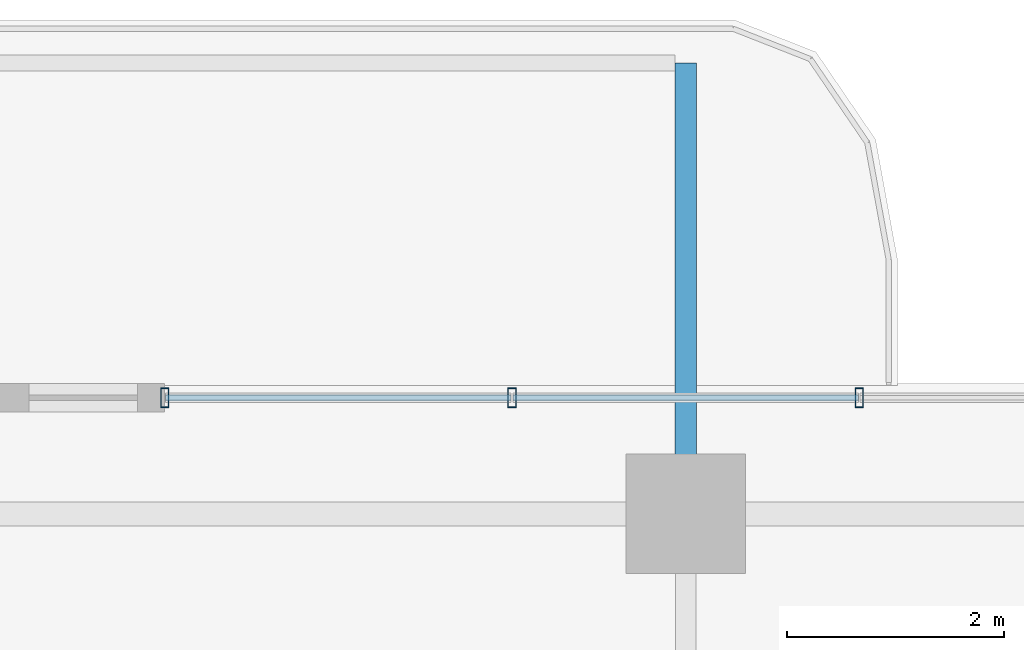
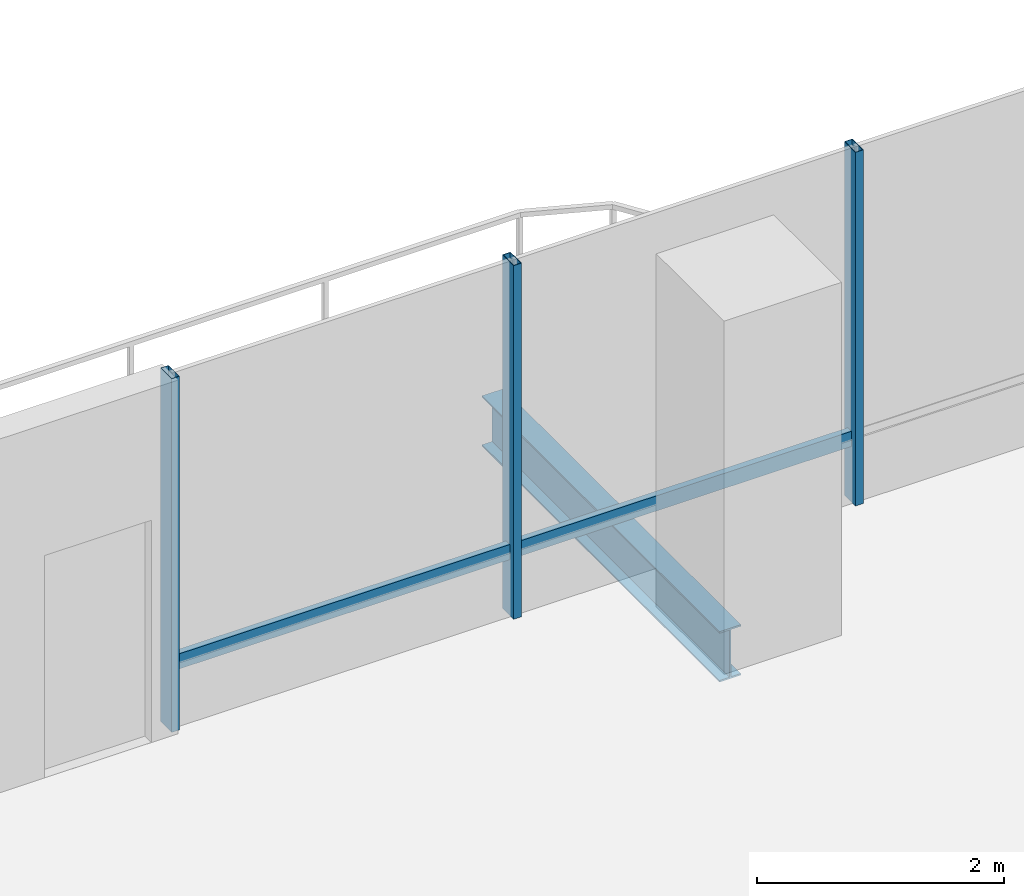
# One storey, part 11 of 24: 5 members, 1 beam, 1 element without a shape of its own.
"""IFC4 building model written with IfcOpenShell, lengths in metres."""

from ifc_helpers import new_model, si_unit, direction, frame, origin, origin_2d, place, context, subcontext, project, spatial, hollow_rectangle, i_section, extrude, material, layer, layer_set, material_profile, profile_set, type_object, element, aggregate, save


model = new_model("IFC4")

# Units and contexts
model_context = context("Model", 3, precision=1e-05, world=origin(), true_north=direction((0.0, 1.0)))
body_context = subcontext(model_context, "Body", "Model", "MODEL_VIEW")
ifc_project = project(units=[si_unit("LENGTHUNIT", "METRE"), si_unit("AREAUNIT", "SQUARE_METRE"), si_unit("VOLUMEUNIT", "CUBIC_METRE"), si_unit("PLANEANGLEUNIT", "RADIAN"), si_unit("MASSUNIT", "GRAM", prefix="KILO")], contexts=[model_context])

# Site, building, storey
site_placement = place(None, origin())
site = spatial("IfcSite", under=ifc_project, at=site_placement, CompositionType="ELEMENT")
building_placement = place(site_placement, origin())
building = spatial("IfcBuilding", under=site, at=building_placement, Name="Belovzor Exchange Tower", CompositionType="ELEMENT")
storey_placement = place(building_placement, frame((0.0, 0.0, 214.949951171875)))
storey = spatial("IfcBuildingStorey", under=building, at=storey_placement, Name="L53", CompositionType="ELEMENT", Elevation=214.949951171875)

# Beam
ifc_material_1 = material(Name="Steel S355", Category="steel")
ifc_material_profile_1 = material_profile(ifc_material_1, i_section(OverallWidth=0.199951171875, OverallDepth=0.5, WebThickness=0.01025390625, FlangeThickness=0.01611328125, at=origin_2d()))
ifc_profile_set_1 = profile_set([ifc_material_profile_1], Name="Steel S355")
beam_type = type_object("IfcBeamType", Name="Planted Balcony Cantilever Beam IPE 500", PredefinedType="BEAM", material=ifc_profile_set_1)
beam_placement = place(storey_placement, frame((28.800048828125, 54.903076171875, -0.5), z_axis=(0.0, 1.0, 0.0), x_axis=(-1.0, 0.0, 0.0)))
element("IfcBeam", 1, at=beam_placement, inside=storey, type_object=beam_type, Name="BC-500 Planted Balcony Cantilever Beam IPE 500", PredefinedType="BEAM", context=body_context, shape_type="SweptSolid", body=[
    extrude(i_section(OverallWidth=0.199951171875, OverallDepth=0.5, WebThickness=0.01025390625, FlangeThickness=0.01611328125, at=origin_2d()), origin(), (0.0, 0.0, 1.0), 3.849853515625),
])

# Curtain wall, members
ifc_material_2 = material(Name="Anodised Aluminium Framing", Category="aluminium")
ifc_layer = layer(ifc_material_2, 0.179931640625)
ifc_layer_set = layer_set([ifc_layer], Name="Anodised Aluminium Framing")
curtain_wall_type = type_object("IfcCurtainWallType", Name="Recessed Loggia Low-Iron Triple-Glazed Curtain Wall", PredefinedType="NOTDEFINED", material=ifc_layer_set)
curtain_wall_placement = place(storey_placement, origin())
curtain_wall = element("IfcCurtainWall", 2, at=curtain_wall_placement, inside=storey, type_object=curtain_wall_type, Name="CW3 Recessed Loggia Low-Iron Triple-Glazed Curtain Wall L53", PredefinedType="NOTDEFINED")
ifc_material_3 = material(Name="Steel S355", Category="steel")
ifc_material_profile_2 = material_profile(ifc_material_3, hollow_rectangle(XDim=0.074951171875, YDim=0.179931640625, WallThickness=0.0048828125, at=origin_2d()))
ifc_profile_set_2 = profile_set([ifc_material_profile_2], Name="Steel S355")
member_type_1 = type_object("IfcMemberType", Name="Thermally Broken Curtain Wall Mullion 180x75", PredefinedType="MULLION", material=ifc_profile_set_2)
member_1_placement = place(storey_placement, frame((24.0, 55.669921875, 0.0), z_axis=(0.0, 0.0, 1.0), x_axis=(1.0, 0.0, 0.0)))
member_1 = element("IfcMember", 3, at=member_1_placement, type_object=member_type_1, Name="CW-M180 Curtain Wall Mullion 1", PredefinedType="MULLION", context=body_context, shape_type="SweptSolid", body=[
    extrude(hollow_rectangle(XDim=0.074951171875, YDim=0.179931640625, WallThickness=0.0048828125, at=origin_2d()), origin(), (0.0, 0.0, 1.0), 3.5),
])
member_2_placement = place(storey_placement, frame((27.199951171875, 55.669921875, 0.0), z_axis=(0.0, 0.0, 1.0), x_axis=(1.0, 0.0, 0.0)))
member_2 = element("IfcMember", 4, at=member_2_placement, type_object=member_type_1, Name="CW-M180 Curtain Wall Mullion 2", PredefinedType="MULLION", context=body_context, shape_type="SweptSolid", body=[
    extrude(hollow_rectangle(XDim=0.074951171875, YDim=0.179931640625, WallThickness=0.0048828125, at=origin_2d()), origin(), (0.0, 0.0, 1.0), 3.5),
])
member_3_placement = place(storey_placement, frame((30.39990234375, 55.669921875, 0.0), z_axis=(0.0, 0.0, 1.0), x_axis=(1.0, 0.0, 0.0)))
member_3 = element("IfcMember", 5, at=member_3_placement, type_object=member_type_1, Name="CW-M180 Curtain Wall Mullion 3", PredefinedType="MULLION", context=body_context, shape_type="SweptSolid", body=[
    extrude(hollow_rectangle(XDim=0.074951171875, YDim=0.179931640625, WallThickness=0.0048828125, at=origin_2d()), origin(), (0.0, 0.0, 1.0), 3.5),
])
ifc_material_4 = material(Name="Steel S355", Category="steel")
ifc_material_profile_3 = material_profile(ifc_material_4, hollow_rectangle(XDim=0.06005859375, YDim=0.14990234375, WallThickness=0.00390625, at=origin_2d()))
ifc_profile_set_3 = profile_set([ifc_material_profile_3], Name="Steel S355")
member_type_2 = type_object("IfcMemberType", Name="Thermally Broken Curtain Wall Transom 150x60", PredefinedType="USERDEFINED", material=ifc_profile_set_3)
member_4_placement = place(storey_placement, frame((24.008056640625, 55.669921875, 0.630126953125), z_axis=(1.0, 0.0, 0.0), x_axis=(0.0, 1.0, 0.0)))
member_4 = element("IfcMember", 6, at=member_4_placement, type_object=member_type_2, Name="CW-T150 Curtain Wall Transom 1", ObjectType="TRANSOM", PredefinedType="USERDEFINED", context=body_context, shape_type="SweptSolid", body=[
    extrude(hollow_rectangle(XDim=0.06005859375, YDim=0.14990234375, WallThickness=0.00390625, at=origin_2d()), origin(), (0.0, 0.0, 1.0), 3.183837890625),
])
member_5_placement = place(storey_placement, frame((27.2080078125, 55.669921875, 0.630126953125), z_axis=(1.0, 0.0, 0.0), x_axis=(0.0, 1.0, 0.0)))
member_5 = element("IfcMember", 7, at=member_5_placement, type_object=member_type_2, Name="CW-T150 Curtain Wall Transom 2", ObjectType="TRANSOM", PredefinedType="USERDEFINED", context=body_context, shape_type="SweptSolid", body=[
    extrude(hollow_rectangle(XDim=0.06005859375, YDim=0.14990234375, WallThickness=0.00390625, at=origin_2d()), origin(), (0.0, 0.0, 1.0), 3.18408203125),
])
aggregate(curtain_wall, [member_1, member_2, member_3, member_4, member_5])

save(model, "model.ifc")
